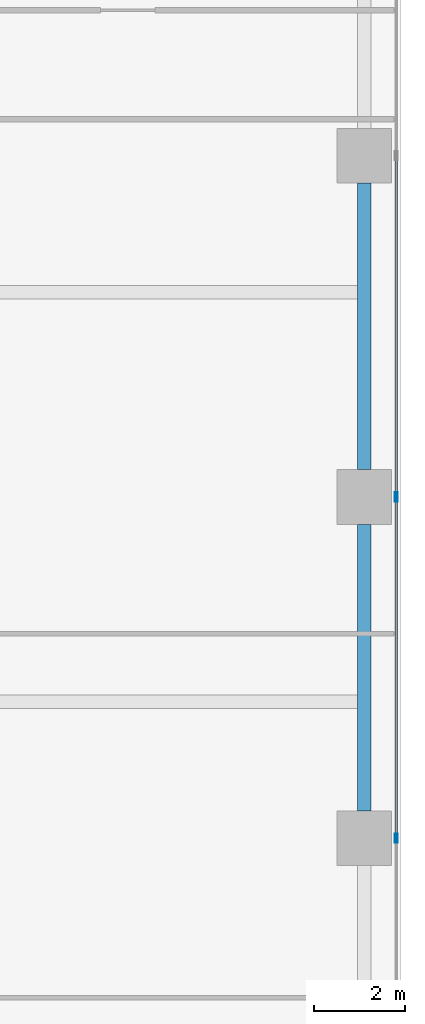
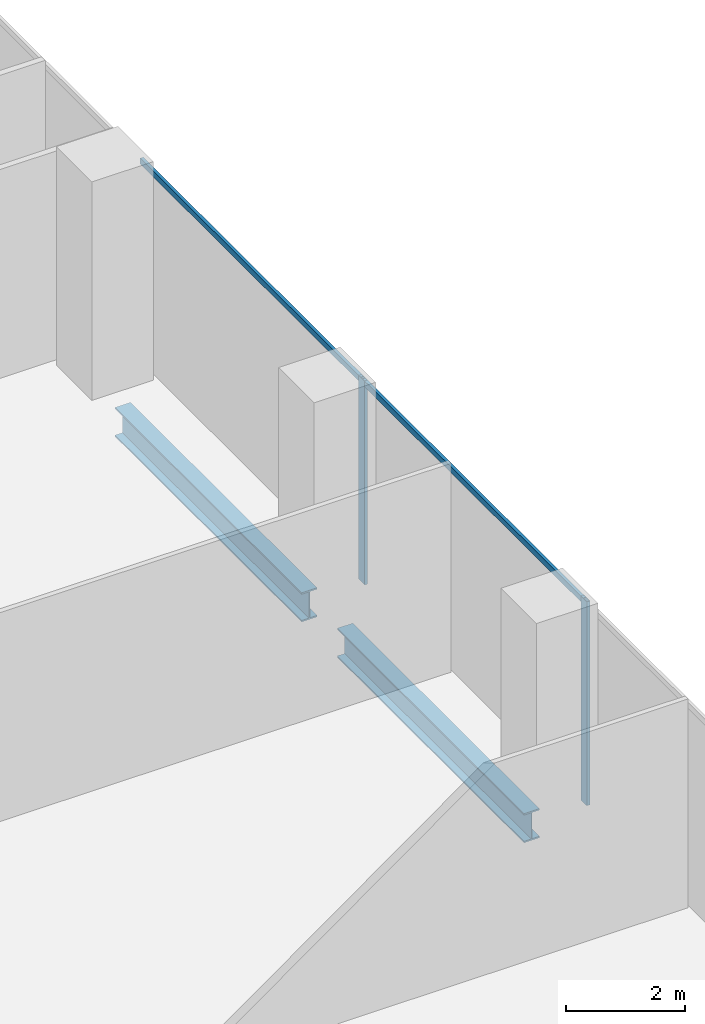
# One storey, part 11 of 33: 4 members, 2 beams, 1 element without a shape of its own.
"""IFC4 building model written with IfcOpenShell, lengths in metres."""

from ifc_helpers import new_model, si_unit, direction, frame, origin, origin_2d, place, context, subcontext, project, spatial, hollow_rectangle, i_section, extrude, source, transform, mapped, material, material_profile, profile_set, type_object, element, aggregate, save


model = new_model("IFC4")

# Units and contexts
model_context = context("Model", 3, precision=1e-05, world=origin(), true_north=direction((0.0, 1.0)))
body_context = subcontext(model_context, "Body", "Model", "MODEL_VIEW")
ifc_project = project(units=[si_unit("LENGTHUNIT", "METRE"), si_unit("AREAUNIT", "SQUARE_METRE"), si_unit("VOLUMEUNIT", "CUBIC_METRE"), si_unit("PLANEANGLEUNIT", "RADIAN"), si_unit("MASSUNIT", "GRAM", prefix="KILO")], contexts=[model_context])

# Site, building, storey
site_placement = place(None, origin())
site = spatial("IfcSite", under=ifc_project, at=site_placement, CompositionType="ELEMENT")
building_placement = place(site_placement, origin())
building = spatial("IfcBuilding", under=site, at=building_placement, Name="Khomas Fold Tower", CompositionType="ELEMENT")
storey_placement = place(building_placement, frame((0.0, 0.0, 91.5)))
storey = spatial("IfcBuildingStorey", under=building, at=storey_placement, Name="L19", CompositionType="ELEMENT", Elevation=91.5)

# Beams
ifc_material_1 = material(Name="Steel S355", Category="steel")
ifc_material_profile_1 = material_profile(ifc_material_1, i_section(OverallWidth=0.300048828125, OverallDepth=0.60009765625, WebThickness=0.015380859375, FlangeThickness=0.030029296875, at=origin_2d()), Name="HE 600 B")
ifc_profile_set_1 = profile_set([ifc_material_profile_1], Name="Steel S355")
beam_type = type_object("IfcBeamType", Name="HE 600 B spandrel SB1", PredefinedType="SPANDREL", material=ifc_profile_set_1)
shared_shape_1 = source(origin(), body_context, "Body", "SweptSolid", [
    extrude(i_section(OverallWidth=0.300048828125, OverallDepth=0.60009765625, WebThickness=0.015380859375, FlangeThickness=0.030029296875, at=origin_2d()), origin(), (0.0, 0.0, 1.0), 6.2998046875),
])
for number, where, z_axis, x_axis, name in (
    (1, (53.199951171875, 20.10009765625, -0.60009765625), (0.0, 1.0, 0.0), (-1.0, 0.0, 0.0), "SB1"),
    (2, (53.199951171875, 27.60009765625, -0.60009765625), (0.0, 1.0, 0.0), (-1.0, 0.0, 0.0), "SB1"),
):
    element("IfcBeam", number, at=place(storey_placement, frame(where, z_axis=z_axis, x_axis=x_axis)), inside=storey, type_object=beam_type, Name=name, PredefinedType="SPANDREL", context=body_context, shape_type="MappedRepresentation", body=[
        mapped(shared_shape_1, transform((0.0, 0.0, 0.0))),
    ])

# Curtain wall, members
ifc_material_2 = material(Name="Aluminium framed double glazing", Category="aluminium")
curtain_wall_type = type_object("IfcCurtainWallType", Name="SK-Unitised clear-glass wall, growing floors CW1", PredefinedType="NOTDEFINED", material=ifc_material_2)
curtain_wall_placement = place(storey_placement, origin())
curtain_wall = element("IfcCurtainWall", 3, at=curtain_wall_placement, inside=storey, type_object=curtain_wall_type, Name="CW1 run L19 03-0", PredefinedType="NOTDEFINED")
ifc_material_3 = material(Name="Aluminium", Category="aluminium")
ifc_material_profile_2 = material_profile(ifc_material_3, hollow_rectangle(XDim=0.06005859375, YDim=0.1201171875, WallThickness=0.00390625, at=origin_2d()), Name="SK-Unitised clear-glass wall, growing floors transom CW1-T")
ifc_profile_set_2 = profile_set([ifc_material_profile_2], Name="Aluminium")
member_type_1 = type_object("IfcMemberType", Name="SK-Unitised clear-glass wall, growing floors transom CW1-T", PredefinedType="USERDEFINED", material=ifc_profile_set_2)
shared_shape_2 = source(origin(), body_context, "Body", "SweptSolid", [
    extrude(hollow_rectangle(XDim=0.06005859375, YDim=0.1201171875, WallThickness=0.00390625, at=origin_2d()), origin(), (0.0, 0.0, 1.0), 7.43994140625),
])
member_1_placement = place(storey_placement, frame((53.89990234375, 19.530029296875, 4.139892578125), z_axis=(0.0, 1.0, 0.0), x_axis=(-1.0, 0.0, 0.0)))
member_1 = element("IfcMember", 4, at=member_1_placement, type_object=member_type_1, Name="CW1 transom 4", ObjectType="TRANSOM", PredefinedType="USERDEFINED", context=body_context, shape_type="MappedRepresentation", body=[
    mapped(shared_shape_2, transform((0.0, 0.0, 0.0))),
])
member_2_placement = place(storey_placement, frame((53.89990234375, 27.030029296875, 4.139892578125), z_axis=(0.0, 1.0, 0.0), x_axis=(-1.0, 0.0, 0.0)))
member_2 = element("IfcMember", 5, at=member_2_placement, type_object=member_type_1, Name="CW1 transom 5", ObjectType="TRANSOM", PredefinedType="USERDEFINED", context=body_context, shape_type="MappedRepresentation", body=[
    mapped(shared_shape_2, transform((0.0, 0.0, 0.0))),
])
ifc_material_4 = material(Name="Aluminium", Category="aluminium")
ifc_material_profile_3 = material_profile(ifc_material_4, hollow_rectangle(XDim=0.06005859375, YDim=0.199951171875, WallThickness=0.00390625, at=origin_2d()), Name="SK-Unitised clear-glass wall, growing floors mullion CW1-M")
ifc_profile_set_3 = profile_set([ifc_material_profile_3], Name="Aluminium")
member_type_2 = type_object("IfcMemberType", Name="SK-Unitised clear-glass wall, growing floors mullion CW1-M", PredefinedType="MULLION", material=ifc_profile_set_3)
shared_shape_3 = source(origin(), body_context, "Body", "SweptSolid", [
    extrude(hollow_rectangle(XDim=0.06005859375, YDim=0.199951171875, WallThickness=0.00390625, at=origin_2d()), origin(), (0.0, 0.0, 1.0), 4.199951171875),
])
member_3_placement = place(storey_placement, frame((53.89990234375, 19.5, 0.0), z_axis=(0.0, 0.0, 1.0), x_axis=(-1.0, 0.0, 0.0)))
member_3 = element("IfcMember", 6, at=member_3_placement, type_object=member_type_2, Name="CW1 mullion 4", PredefinedType="MULLION", context=body_context, shape_type="MappedRepresentation", body=[
    mapped(shared_shape_3, transform((0.0, 0.0, 0.0))),
])
member_4_placement = place(storey_placement, frame((53.89990234375, 27.0, 0.0), z_axis=(0.0, 0.0, 1.0), x_axis=(-1.0, 0.0, 0.0)))
member_4 = element("IfcMember", 7, at=member_4_placement, type_object=member_type_2, Name="CW1 mullion 5", PredefinedType="MULLION", context=body_context, shape_type="MappedRepresentation", body=[
    mapped(shared_shape_3, transform((0.0, 0.0, 0.0))),
])
aggregate(curtain_wall, [member_3, member_4, member_1, member_2])

save(model, "model.ifc")
